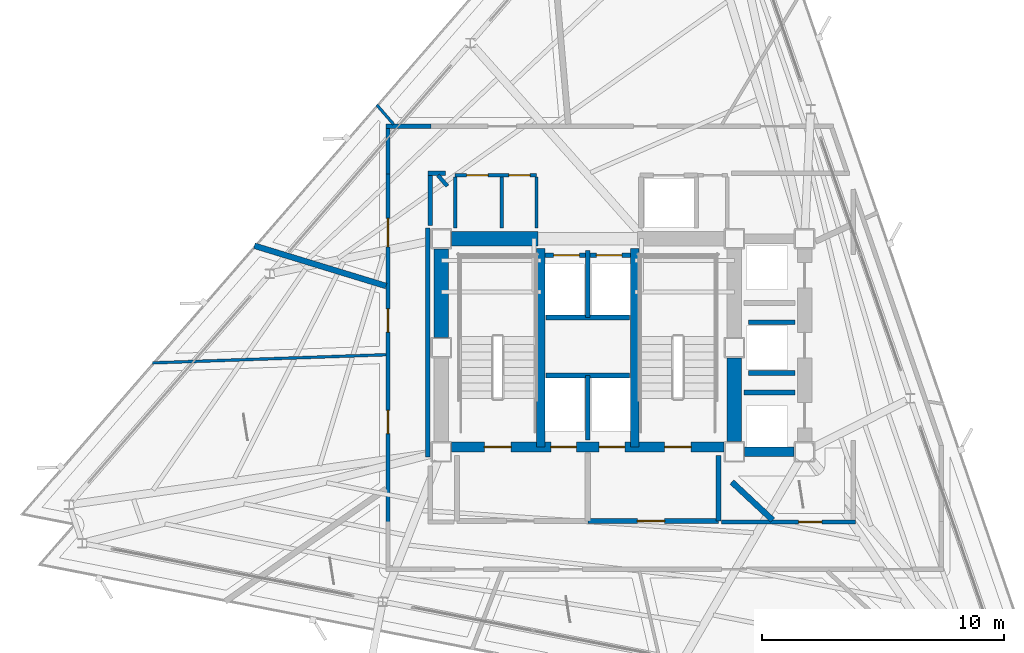
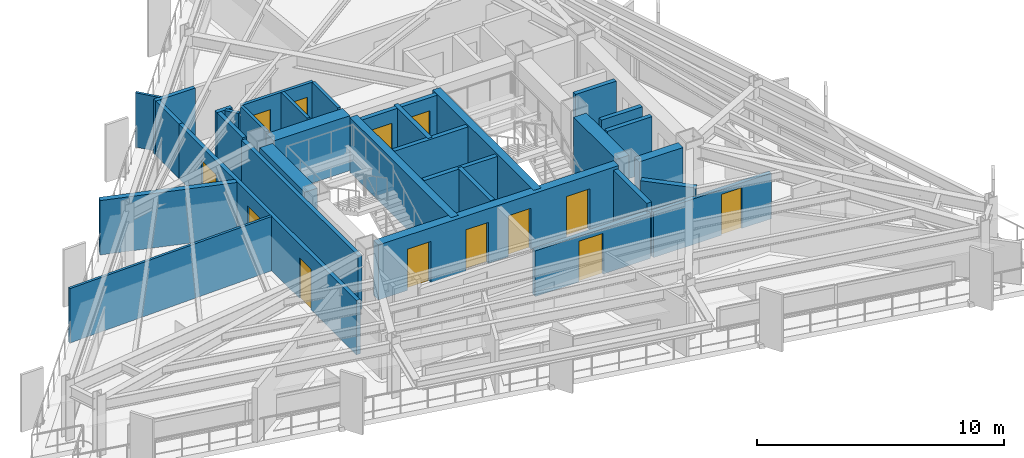
# One storey, part 9 of 14: 33 walls, 13 doors, 13 openings.
"""IFC4 building model written with IfcOpenShell, lengths in metres."""

from ifc_helpers import new_model, si_unit, direction, frame, frame_2d, origin, place, context, subcontext, project, spatial, rectangle, extrude, material, layer, layer_set, type_object, element, fill, save


model = new_model("IFC4")

# Units and contexts
model_context = context("Model", 3, precision=1e-05, world=origin(), true_north=direction((0.0, 1.0)))
body_context = subcontext(model_context, "Body", "Model", "MODEL_VIEW")
ifc_project = project(units=[si_unit("LENGTHUNIT", "METRE"), si_unit("AREAUNIT", "SQUARE_METRE"), si_unit("VOLUMEUNIT", "CUBIC_METRE"), si_unit("PLANEANGLEUNIT", "RADIAN"), si_unit("MASSUNIT", "GRAM", prefix="KILO")], contexts=[model_context])

# Site, building, storey
site_placement = place(None, origin())
site = spatial("IfcSite", under=ifc_project, at=site_placement, CompositionType="ELEMENT")
building_placement = place(site_placement, origin())
building = spatial("IfcBuilding", under=site, at=building_placement, Name="Rocaltana Carrier Exchange", CompositionType="ELEMENT")
storey_placement = place(building_placement, frame((0.0, 0.0, 168.47998046875)))
storey = spatial("IfcBuildingStorey", under=building, at=storey_placement, Name="L53", CompositionType="ELEMENT", Elevation=168.47998046875)

# Walls
ifc_material_1 = material(Name="Double Acoustic Gypsum Partition", Category="gypsum")
ifc_layer_1 = layer(ifc_material_1, 0.159912109375)
ifc_layer_set_1 = layer_set([ifc_layer_1], Name="Double Acoustic Gypsum Partition")
wall_type_1 = type_object("IfcWallType", Name="Acoustic Studio Partition 160 EI60", PredefinedType="PARTITIONING", material=ifc_layer_set_1)
wall_1_placement = place(storey_placement, frame((-5.800048828125, 6.672119140625, 0.0), z_axis=(0.0, 0.0, 1.0), x_axis=(-0.655791573116, 0.754941992891, 0.0)))
element("IfcWall", 1, at=wall_1_placement, inside=storey, type_object=wall_type_1, Name="L53 Suite Divider Wall D12", PredefinedType="PARTITIONING", context=body_context, shape_type="SweptSolid", body=[
    extrude(rectangle(XDim=0.593505859375, YDim=0.159912109375, at=frame_2d((0.296875, 0.0))), origin(), (0.0, 0.0, 1.0), 2.693115234375),
])
ifc_material_2 = material(Name="Concrete C50/60", Category="concrete")
ifc_layer_2 = layer(ifc_material_2, 0.35009765625)
ifc_layer_set_2 = layer_set([ifc_layer_2], Name="Concrete C50/60")
wall_type_2 = type_object("IfcWallType", Name="Core Internal Shear Wall 350", PredefinedType="SHEAR", material=ifc_layer_set_2)
for number, where, z_axis, x_axis, name in (
    (2, (-1.93994140625, -4.10009765625, 0.0), (0.0, 0.0, 1.0), (0.0, 1.0, 0.0), "L53 Core Shear Wall CW-STW"),
    (3, (1.93994140625, -4.10009765625, 0.0), (0.0, 0.0, 1.0), (0.0, 1.0, 0.0), "L53 Core Shear Wall CW-STE"),
):
    element("IfcWall", number, at=place(storey_placement, frame(where, z_axis=z_axis, x_axis=x_axis)), inside=storey, type_object=wall_type_2, Name=name, PredefinedType="SHEAR", context=body_context, shape_type="SweptSolid", body=[
        extrude(rectangle(XDim=8.2001953125, YDim=0.35009765625, at=frame_2d((4.10009765625, 0.0))), origin(), (0.0, 0.0, 1.0), 2.718017578125),
    ])

# Wall, openings, doors
ifc_material_3 = material(Name="Concrete C50/60", Category="concrete")
ifc_layer_3 = layer(ifc_material_3, 0.39990234375)
ifc_layer_set_3 = layer_set([ifc_layer_3], Name="Concrete C50/60")
wall_type_3 = type_object("IfcWallType", Name="Core Internal Shear Wall 400", PredefinedType="SHEAR", material=ifc_layer_set_3)
wall_2_placement = place(storey_placement, frame((-5.625, -4.10009765625, 0.0), z_axis=(0.0, 0.0, 1.0), x_axis=(1.0, 0.0, 0.0)))
wall_2 = element("IfcWall", 4, at=wall_2_placement, inside=storey, type_object=wall_type_3, Name="L53 Core Shear Wall CW-S", PredefinedType="SHEAR", context=body_context, shape_type="SweptSolid", body=[
    extrude(rectangle(XDim=11.25, YDim=0.39990234375, at=frame_2d((5.625, 0.0))), origin(), (0.0, 0.0, 1.0), 2.718017578125),
])
opening_1_placement = place(wall_2_placement, frame((1.35498046875, 0.0, 0.0)))
opening_1 = element("IfcOpeningElement", 5, at=opening_1_placement, cuts=wall_2, Name="Opening D-ST110", PredefinedType="OPENING", context=body_context, shape_type="SweptSolid", body=[
    extrude(rectangle(XDim=1.10009765625, YDim=2.0400390625, at=frame_2d((0.550048828125, 1.02001953125))), frame((0.0, 0.2099609375, 0.0), z_axis=(0.0, -1.0, 0.0), x_axis=(1.0, 0.0, 0.0)), (0.0, 0.0, 1.0), 0.419921875),
])
opening_2_placement = place(wall_2_placement, frame((8.794921875, 0.0, 0.0)))
opening_2 = element("IfcOpeningElement", 6, at=opening_2_placement, cuts=wall_2, Name="Opening D-ST110", PredefinedType="OPENING", context=body_context, shape_type="SweptSolid", body=[
    extrude(rectangle(XDim=1.10009765625, YDim=2.0400390625, at=frame_2d((0.550048828125, 1.02001953125))), frame((0.0, 0.2099609375, 0.0), z_axis=(0.0, -1.0, 0.0), x_axis=(1.0, 0.0, 0.0)), (0.0, 0.0, 1.0), 0.419921875),
])
opening_3_placement = place(wall_2_placement, frame((4.094970703125, 0.0, 0.0)))
opening_3 = element("IfcOpeningElement", 7, at=opening_3_placement, cuts=wall_2, Name="Opening LD-110", PredefinedType="OPENING", context=body_context, shape_type="SweptSolid", body=[
    extrude(rectangle(XDim=1.06005859375, YDim=2.0400390625, at=frame_2d((0.530029296875, 1.02001953125))), frame((0.0, 0.2099609375, 0.0), z_axis=(0.0, -1.0, 0.0), x_axis=(1.0, 0.0, 0.0)), (0.0, 0.0, 1.0), 0.419921875),
])
opening_4_placement = place(wall_2_placement, frame((6.094970703125, 0.0, 0.0)))
opening_4 = element("IfcOpeningElement", 8, at=opening_4_placement, cuts=wall_2, Name="Opening LD-110", PredefinedType="OPENING", context=body_context, shape_type="SweptSolid", body=[
    extrude(rectangle(XDim=1.06005859375, YDim=2.0400390625, at=frame_2d((0.530029296875, 1.02001953125))), frame((0.0, 0.2099609375, 0.0), z_axis=(0.0, -1.0, 0.0), x_axis=(1.0, 0.0, 0.0)), (0.0, 0.0, 1.0), 0.419921875),
])
ifc_material_4 = material(Name="Hollow Metal Fire Door Assembly", Category="steel")
door_type_1 = type_object("IfcDoorType", Name="Exit Stair Fire Door 1100x2040 FD90S", OperationType="NOTDEFINED", PredefinedType="DOOR", material=ifc_material_4)
door_1_placement = place(opening_1_placement, origin())
door_1 = element("IfcDoor", 9, at=door_1_placement, inside=storey, type_object=door_type_1, Name="L53 Exit Stair ST1 Fire Door", OperationType="SINGLE_SWING_RIGHT", OverallHeight=2.0400390625, OverallWidth=1.10009765625, PredefinedType="DOOR", context=body_context, shape_type="SweptSolid", body=[
    extrude(rectangle(XDim=1.10009765625, YDim=2.0400390625, at=frame_2d((0.550048828125, 1.02001953125))), frame((0.0, 0.02490234375, 0.0), z_axis=(0.0, -1.0, 0.0), x_axis=(1.0, 0.0, 0.0)), (0.0, 0.0, 1.0), 0.050048828125),
])
fill(opening_1, door_1)
door_2_placement = place(opening_2_placement, origin())
door_2 = element("IfcDoor", 10, at=door_2_placement, inside=storey, type_object=door_type_1, Name="L53 Exit Stair ST2 Fire Door", OperationType="SINGLE_SWING_LEFT", OverallHeight=2.0400390625, OverallWidth=1.10009765625, PredefinedType="DOOR", context=body_context, shape_type="SweptSolid", body=[
    extrude(rectangle(XDim=1.10009765625, YDim=2.0400390625, at=frame_2d((0.550048828125, 1.02001953125))), frame((0.0, 0.02490234375, 0.0), z_axis=(0.0, -1.0, 0.0), x_axis=(1.0, 0.0, 0.0)), (0.0, 0.0, 1.0), 0.050048828125),
])
fill(opening_2, door_2)
ifc_material_5 = material(Name="Brushed Stainless Sliding Door Leaf", Category="steel")
door_type_2 = type_object("IfcDoorType", Name="Lift Landing Sliding Door 1060x2040", OperationType="NOTDEFINED", PredefinedType="DOOR", material=ifc_material_5)
door_3_placement = place(opening_3_placement, origin())
door_3 = element("IfcDoor", 11, at=door_3_placement, inside=storey, type_object=door_type_2, Name="L53 Firefighting Lift FFL1 Landing Door", OperationType="SLIDING_TO_LEFT", OverallHeight=2.0400390625, OverallWidth=1.06005859375, PredefinedType="DOOR", context=body_context, shape_type="SweptSolid", body=[
    extrude(rectangle(XDim=1.06005859375, YDim=2.0400390625, at=frame_2d((0.530029296875, 1.02001953125))), frame((0.0, 0.02490234375, 0.0), z_axis=(0.0, -1.0, 0.0), x_axis=(1.0, 0.0, 0.0)), (0.0, 0.0, 1.0), 0.050048828125),
])
fill(opening_3, door_3)
door_4_placement = place(opening_4_placement, origin())
door_4 = element("IfcDoor", 12, at=door_4_placement, inside=storey, type_object=door_type_2, Name="L53 Firefighting Lift FFL2 Landing Door", OperationType="SLIDING_TO_RIGHT", OverallHeight=2.0400390625, OverallWidth=1.06005859375, PredefinedType="DOOR", context=body_context, shape_type="SweptSolid", body=[
    extrude(rectangle(XDim=1.06005859375, YDim=2.0400390625, at=frame_2d((0.530029296875, 1.02001953125))), frame((0.0, 0.02490234375, 0.0), z_axis=(0.0, -1.0, 0.0), x_axis=(1.0, 0.0, 0.0)), (0.0, 0.0, 1.0), 0.050048828125),
])
fill(opening_4, door_4)

# Walls
wall_3_placement = place(storey_placement, frame((6.47509765625, -4.300048828125, 0.0), z_axis=(0.0, 0.0, 1.0), x_axis=(1.0, 0.0, 0.0)))
element("IfcWall", 13, at=wall_3_placement, inside=storey, type_object=wall_type_3, Name="L53 Core Shear Wall CW-EWS", PredefinedType="SHEAR", context=body_context, shape_type="SweptSolid", body=[
    extrude(rectangle(XDim=2.0498046875, YDim=0.39990234375, at=frame_2d((1.02490234375, 0.0))), origin(), (0.0, 0.0, 1.0), 2.718017578125),
])
ifc_material_6 = material(Name="Concrete C50/60", Category="concrete")
ifc_layer_4 = layer(ifc_material_6, 0.60009765625)
ifc_layer_set_4 = layer_set([ifc_layer_4], Name="Concrete C50/60")
wall_type_4 = type_object("IfcWallType", Name="Core Shear Wall 600", PredefinedType="SHEAR", material=ifc_layer_set_4)
wall_4_placement = place(storey_placement, frame((-6.050048828125, 0.425048828125, 0.0), z_axis=(0.0, 0.0, 1.0), x_axis=(0.0, 1.0, 0.0)))
element("IfcWall", 14, at=wall_4_placement, inside=storey, type_object=wall_type_4, Name="L53 Core Shear Wall CW-WN", PredefinedType="SHEAR", context=body_context, shape_type="SweptSolid", body=[
    extrude(rectangle(XDim=3.64990234375, YDim=0.60009765625, at=frame_2d((1.824951171875, 0.0))), origin(), (0.0, 0.0, 1.0), 2.718017578125),
])
wall_5_placement = place(storey_placement, frame((6.050048828125, -3.875, 0.0), z_axis=(0.0, 0.0, 1.0), x_axis=(0.0, 1.0, 0.0)))
element("IfcWall", 15, at=wall_5_placement, inside=storey, type_object=wall_type_4, Name="L53 Core Shear Wall CW-ES", PredefinedType="SHEAR", context=body_context, shape_type="SweptSolid", body=[
    extrude(rectangle(XDim=3.449951171875, YDim=0.60009765625, at=frame_2d((1.72509765625, 0.0))), origin(), (0.0, 0.0, 1.0), 2.718017578125),
])
wall_6_placement = place(storey_placement, frame((-5.625, 4.5, 0.0), z_axis=(0.0, 0.0, 1.0), x_axis=(1.0, 0.0, 0.0)))
element("IfcWall", 16, at=wall_6_placement, inside=storey, type_object=wall_type_4, Name="L53 Core Shear Wall CW-N1", PredefinedType="SHEAR", context=body_context, shape_type="SweptSolid", body=[
    extrude(rectangle(XDim=3.574951171875, YDim=0.60009765625, at=frame_2d((1.78759765625, 0.0))), origin(), (0.0, 0.0, 1.0), 2.718017578125),
])

# Wall, openings, doors
ifc_material_7 = material(Name="Gypsum & Steel Stud Partition", Category="steel")
ifc_layer_5 = layer(ifc_material_7, 0.179931640625)
ifc_layer_set_5 = layer_set([ifc_layer_5], Name="Gypsum & Steel Stud Partition")
wall_type_5 = type_object("IfcWallType", Name="Corridor Fire Partition 180 EI60", PredefinedType="PARTITIONING", material=ifc_layer_set_5)
wall_7_placement = place(storey_placement, frame((-8.25, -7.219970703125, 0.0), z_axis=(0.0, 0.0, 1.0), x_axis=(0.0, 1.0, 0.0)))
wall_7 = element("IfcWall", 17, at=wall_7_placement, inside=storey, type_object=wall_type_5, Name="L53 Corridor Partition 3", PredefinedType="PARTITIONING", context=body_context, shape_type="SweptSolid", body=[
    extrude(rectangle(XDim=14.43994140625, YDim=0.179931640625, at=frame_2d((7.219970703125, 0.0))), origin(), (0.0, 0.0, 1.0), 2.693115234375),
])
opening_5_placement = place(wall_7_placement, frame((3.67138671875, 0.0, 0.0)))
opening_5 = element("IfcOpeningElement", 18, at=opening_5_placement, cuts=wall_7, Name="Opening D-RM098", PredefinedType="OPENING", context=body_context, shape_type="SweptSolid", body=[
    extrude(rectangle(XDim=0.9599609375, YDim=2.02001953125, at=frame_2d((0.47998046875, 1.010009765625))), frame((0.0, 0.099853515625, 0.0), z_axis=(0.0, -1.0, 0.0), x_axis=(1.0, 0.0, 0.0)), (0.0, 0.0, 1.0), 0.199951171875),
])
opening_6_placement = place(wall_7_placement, frame((11.385009765625, 0.0, 0.0)))
opening_6 = element("IfcOpeningElement", 19, at=opening_6_placement, cuts=wall_7, Name="Opening D-SU120", PredefinedType="OPENING", context=body_context, shape_type="SweptSolid", body=[
    extrude(rectangle(XDim=1.179931640625, YDim=2.02001953125, at=frame_2d((0.58984375, 1.010009765625))), frame((0.0, 0.099853515625, 0.0), z_axis=(0.0, -1.0, 0.0), x_axis=(1.0, 0.0, 0.0)), (0.0, 0.0, 1.0), 0.199951171875),
])
opening_7_placement = place(wall_7_placement, frame((7.86669921875, 0.0, 0.0)))
opening_7 = element("IfcOpeningElement", 20, at=opening_7_placement, cuts=wall_7, Name="Opening D-RM098", PredefinedType="OPENING", context=body_context, shape_type="SweptSolid", body=[
    extrude(rectangle(XDim=0.9599609375, YDim=2.02001953125, at=frame_2d((0.47998046875, 1.010009765625))), frame((0.0, 0.099853515625, 0.0), z_axis=(0.0, -1.0, 0.0), x_axis=(1.0, 0.0, 0.0)), (0.0, 0.0, 1.0), 0.199951171875),
])
ifc_material_8 = material(Name="Engineered Hardwood Timber", Category="wood")
door_type_3 = type_object("IfcDoorType", Name="Suite Double Entrance Door 1180x2020", OperationType="NOTDEFINED", PredefinedType="DOOR", material=ifc_material_8)
door_5_placement = place(opening_6_placement, origin())
door_5 = element("IfcDoor", 21, at=door_5_placement, inside=storey, type_object=door_type_3, Name="L53 Carrier Peering Suite Entrance Door", OperationType="SINGLE_SWING_RIGHT", OverallHeight=2.02001953125, OverallWidth=1.179931640625, PredefinedType="DOOR", context=body_context, shape_type="SweptSolid", body=[
    extrude(rectangle(XDim=1.179931640625, YDim=2.02001953125, at=frame_2d((0.58984375, 1.010009765625))), frame((0.0, 0.02490234375, 0.0), z_axis=(0.0, -1.0, 0.0), x_axis=(1.0, 0.0, 0.0)), (0.0, 0.0, 1.0), 0.050048828125),
])
fill(opening_6, door_5)
ifc_material_9 = material(Name="Engineered Hardwood Timber", Category="wood")
door_type_4 = type_object("IfcDoorType", Name="Workspace Single Door 960x2020", OperationType="NOTDEFINED", PredefinedType="DOOR", material=ifc_material_9)
door_6_placement = place(opening_5_placement, origin())
door_6 = element("IfcDoor", 22, at=door_6_placement, inside=storey, type_object=door_type_4, Name="L53 Sky Transfer Lounge Entrance Door", OperationType="SINGLE_SWING_LEFT", OverallHeight=2.02001953125, OverallWidth=0.9599609375, PredefinedType="DOOR", context=body_context, shape_type="SweptSolid", body=[
    extrude(rectangle(XDim=0.9599609375, YDim=2.02001953125, at=frame_2d((0.47998046875, 1.010009765625))), frame((0.0, 0.02490234375, 0.0), z_axis=(0.0, -1.0, 0.0), x_axis=(1.0, 0.0, 0.0)), (0.0, 0.0, 1.0), 0.050048828125),
])
fill(opening_5, door_6)
door_7_placement = place(opening_7_placement, origin())
door_7 = element("IfcDoor", 23, at=door_7_placement, inside=storey, type_object=door_type_4, Name="L53 Sky Transfer Lounge Entrance Door", OperationType="SINGLE_SWING_LEFT", OverallHeight=2.02001953125, OverallWidth=0.9599609375, PredefinedType="DOOR", context=body_context, shape_type="SweptSolid", body=[
    extrude(rectangle(XDim=0.9599609375, YDim=2.02001953125, at=frame_2d((0.47998046875, 1.010009765625))), frame((0.0, 0.02490234375, 0.0), z_axis=(0.0, -1.0, 0.0), x_axis=(1.0, 0.0, 0.0)), (0.0, 0.0, 1.0), 0.050048828125),
])
fill(opening_7, door_7)

# Walls
wall_8_placement = place(storey_placement, frame((-8.25, 7.179931640625, 0.0), z_axis=(0.0, 0.0, 1.0), x_axis=(0.0, 1.0, 0.0)))
element("IfcWall", 24, at=wall_8_placement, inside=storey, type_object=wall_type_5, Name="L53 Corridor Partition 4", PredefinedType="PARTITIONING", context=body_context, shape_type="SweptSolid", body=[
    extrude(rectangle(XDim=1.880126953125, YDim=0.179931640625, at=frame_2d((0.93994140625, 0.0))), origin(), (0.0, 0.0, 1.0), 2.693115234375),
])
wall_9_placement = place(storey_placement, frame((-8.340087890625, 9.14990234375, 0.0), z_axis=(0.0, 0.0, 1.0), x_axis=(1.0, 0.0, 0.0)))
element("IfcWall", 25, at=wall_9_placement, inside=storey, type_object=wall_type_5, Name="L53 Corridor Partition 5", PredefinedType="PARTITIONING", context=body_context, shape_type="SweptSolid", body=[
    extrude(rectangle(XDim=1.860107421875, YDim=0.179931640625, at=frame_2d((0.93017578125, 0.0))), origin(), (0.0, 0.0, 1.0), 2.693115234375),
])
wall_10_placement = place(storey_placement, frame((-5.8798828125, 7.199951171875, 0.0), z_axis=(0.0, 0.0, 1.0), x_axis=(-1.0, 0.0, 0.0)))
element("IfcWall", 26, at=wall_10_placement, inside=storey, type_object=wall_type_5, Name="L53 Corridor Partition 9", PredefinedType="PARTITIONING", context=body_context, shape_type="SweptSolid", body=[
    extrude(rectangle(XDim=0.710205078125, YDim=0.179931640625, at=frame_2d((0.35498046875, 0.0))), origin(), (0.0, 0.0, 1.0), 2.693115234375),
])
wall_11_placement = place(storey_placement, frame((-6.5, 7.110107421875, 0.0), z_axis=(0.0, 0.0, 1.0), x_axis=(0.0, -1.0, 0.0)))
element("IfcWall", 27, at=wall_11_placement, inside=storey, type_object=wall_type_5, Name="L53 Corridor Partition 10", PredefinedType="PARTITIONING", context=body_context, shape_type="SweptSolid", body=[
    extrude(rectangle(XDim=2.058349609375, YDim=0.179931640625, at=frame_2d((1.029296875, 0.0))), origin(), (0.0, 0.0, 1.0), 2.693115234375),
])
wall_12_placement = place(storey_placement, frame((-6.610107421875, 4.93994140625, 0.0), z_axis=(0.0, 0.0, 1.0), x_axis=(0.0, -1.0, 0.0)))
element("IfcWall", 28, at=wall_12_placement, inside=storey, type_object=wall_type_5, Name="L53 Corridor Partition 11", PredefinedType="PARTITIONING", context=body_context, shape_type="SweptSolid", body=[
    extrude(rectangle(XDim=9.4599609375, YDim=0.179931640625, at=frame_2d((4.72998046875, 0.0))), origin(), (0.0, 0.0, 1.0), 2.693115234375),
])

# Wall, opening, door
wall_13_placement = place(storey_placement, frame((5.530029296875, -7.199951171875, 0.0), z_axis=(0.0, 0.0, 1.0), x_axis=(1.0, 0.0, 0.0)))
wall_13 = element("IfcWall", 29, at=wall_13_placement, inside=storey, type_object=wall_type_5, Name="L53 Corridor Partition 14", PredefinedType="PARTITIONING", context=body_context, shape_type="SweptSolid", body=[
    extrude(rectangle(XDim=5.52001953125, YDim=0.179931640625, at=frame_2d((2.760009765625, 0.0))), origin(), (0.0, 0.0, 1.0), 2.260009765625),
])
opening_8_placement = place(wall_13_placement, frame((3.177490234375, 0.0, 0.0)))
opening_8 = element("IfcOpeningElement", 30, at=opening_8_placement, cuts=wall_13, Name="Opening D-RM098", PredefinedType="OPENING", context=body_context, shape_type="SweptSolid", body=[
    extrude(rectangle(XDim=0.9599609375, YDim=2.02001953125, at=frame_2d((0.47998046875, 1.010009765625))), frame((0.0, 0.099853515625, 0.0), z_axis=(0.0, -1.0, 0.0), x_axis=(1.0, 0.0, 0.0)), (0.0, 0.0, 1.0), 0.199951171875),
])
door_8_placement = place(opening_8_placement, origin())
door_8 = element("IfcDoor", 31, at=door_8_placement, inside=storey, type_object=door_type_4, Name="L53 Peering Conference Room Entrance Door", OperationType="SINGLE_SWING_RIGHT", OverallHeight=2.02001953125, OverallWidth=0.9599609375, PredefinedType="DOOR", context=body_context, shape_type="SweptSolid", body=[
    extrude(rectangle(XDim=0.9599609375, YDim=2.02001953125, at=frame_2d((0.47998046875, 1.010009765625))), frame((0.0, 0.02490234375, 0.0), z_axis=(0.0, -1.0, 0.0), x_axis=(1.0, 0.0, 0.0)), (0.0, 0.0, 1.0), 0.050048828125),
])
fill(opening_8, door_8)

# Walls
ifc_material_10 = material(Name="Aluminium 6063-T6 & Acoustic Glass", Category="aluminium")
ifc_layer_6 = layer(ifc_material_10, 0.114990234375)
ifc_layer_set_6 = layer_set([ifc_layer_6], Name="Aluminium 6063-T6 & Acoustic Glass")
wall_type_6 = type_object("IfcWallType", Name="Demountable Glazed Lab Partition 115", PredefinedType="MOVABLE", material=ifc_layer_set_6)
wall_14_placement = place(storey_placement, frame((-8.330078125, -0.291015625, 0.0), z_axis=(0.0, 0.0, 1.0), x_axis=(-0.99939124622, -0.03488749028, 0.0)))
element("IfcWall", 32, at=wall_14_placement, inside=storey, type_object=wall_type_6, Name="L53 Suite Divider Wall D1", PredefinedType="MOVABLE", context=body_context, shape_type="SweptSolid", body=[
    extrude(rectangle(XDim=9.650146484375, YDim=0.114990234375, at=frame_2d((4.8251953125, 0.0))), origin(), (0.0, 0.0, 1.0), 2.693115234375),
])
wall_15_placement = place(storey_placement, frame((-8.0234375, 9.22998046875, 0.0), z_axis=(0.0, 0.0, 1.0), x_axis=(-0.656121313299, 0.754655432787, 0.0)))
element("IfcWall", 33, at=wall_15_placement, inside=storey, type_object=wall_type_6, Name="L53 Suite Divider Wall D13", PredefinedType="MOVABLE", context=body_context, shape_type="SweptSolid", body=[
    extrude(rectangle(XDim=1.052978515625, YDim=0.114990234375, at=frame_2d((0.5263671875, 0.0))), origin(), (0.0, 0.0, 1.0), 2.693115234375),
])
ifc_material_11 = material(Name="Autoclaved Aerated Concrete C30/37", Category="concrete")
ifc_layer_7 = layer(ifc_material_11, 0.219970703125)
ifc_layer_set_7 = layer_set([ifc_layer_7], Name="Autoclaved Aerated Concrete C30/37")
wall_type_7 = type_object("IfcWallType", Name="Firefighting Lobby Wall 220 EI120", PredefinedType="PARTITIONING", material=ifc_layer_set_7)
wall_16_placement = place(storey_placement, frame((5.39990234375, -7.159912109375, 0.0), z_axis=(0.0, 0.0, 1.0), x_axis=(0.0, 1.0, 0.0)))
element("IfcWall", 34, at=wall_16_placement, inside=storey, type_object=wall_type_7, Name="L53 FFL Lobby 2 East Wall", PredefinedType="PARTITIONING", context=body_context, shape_type="SweptSolid", body=[
    extrude(rectangle(XDim=2.7099609375, YDim=0.219970703125, at=frame_2d((1.35498046875, 0.0))), origin(), (0.0, 0.0, 1.0), 2.693115234375),
])

# Wall, opening, door
wall_17_placement = place(storey_placement, frame((0.0, -7.159912109375, 0.0), z_axis=(0.0, 0.0, 1.0), x_axis=(1.0, 0.0, 0.0)))
wall_17 = element("IfcWall", 35, at=wall_17_placement, inside=storey, type_object=wall_type_7, Name="L53 FFL Lobby 2 South Wall", PredefinedType="PARTITIONING", context=body_context, shape_type="SweptSolid", body=[
    extrude(rectangle(XDim=5.39990234375, YDim=0.219970703125, at=frame_2d((2.699951171875, 0.0))), origin(), (0.0, 0.0, 1.0), 2.260009765625),
])
opening_9_placement = place(wall_17_placement, frame((2.050048828125, 0.0, 0.0)))
opening_9 = element("IfcOpeningElement", 36, at=opening_9_placement, cuts=wall_17, Name="Opening D-FF115", PredefinedType="OPENING", context=body_context, shape_type="SweptSolid", body=[
    extrude(rectangle(XDim=1.1201171875, YDim=2.02001953125, at=frame_2d((0.56005859375, 1.010009765625))), frame((0.0, 0.119873046875, 0.0), z_axis=(0.0, -1.0, 0.0), x_axis=(1.0, 0.0, 0.0)), (0.0, 0.0, 1.0), 0.239990234375),
])
ifc_material_12 = material(Name="Hollow Metal Fire Door Assembly", Category="steel")
door_type_5 = type_object("IfcDoorType", Name="Firefighting Lobby Door 1120x2020 FD60S", OperationType="NOTDEFINED", PredefinedType="DOOR", material=ifc_material_12)
door_9_placement = place(opening_9_placement, origin())
door_9 = element("IfcDoor", 37, at=door_9_placement, inside=storey, type_object=door_type_5, Name="L53 Firefighting Lift Lobby 2 Door", OperationType="SINGLE_SWING_LEFT", OverallHeight=2.02001953125, OverallWidth=1.1201171875, PredefinedType="DOOR", context=body_context, shape_type="SweptSolid", body=[
    extrude(rectangle(XDim=1.1201171875, YDim=2.02001953125, at=frame_2d((0.56005859375, 1.010009765625))), frame((0.0, 0.02490234375, 0.0), z_axis=(0.0, -1.0, 0.0), x_axis=(1.0, 0.0, 0.0)), (0.0, 0.0, 1.0), 0.050048828125),
])
fill(opening_9, door_9)

# Walls
ifc_material_13 = material(Name="Acoustic Calcium Silicate Partition", Category="gypsum")
ifc_layer_8 = layer(ifc_material_13, 0.239990234375)
ifc_layer_set_8 = layer_set([ifc_layer_8], Name="Acoustic Calcium Silicate Partition")
wall_type_8 = type_object("IfcWallType", Name="Heavy Lab Partition 240 EI90", PredefinedType="PARTITIONING", material=ifc_layer_set_8)
wall_18_placement = place(storey_placement, frame((5.949951171875, -5.548583984375, 0.0), z_axis=(0.0, 0.0, 1.0), x_axis=(0.731361714987, -0.681989766677, 0.0)))
element("IfcWall", 38, at=wall_18_placement, inside=storey, type_object=wall_type_8, Name="L53 Suite Divider Wall D5", PredefinedType="PARTITIONING", context=body_context, shape_type="SweptSolid", body=[
    extrude(rectangle(XDim=2.304443359375, YDim=0.239990234375, at=frame_2d((1.15234375, 0.0))), origin(), (0.0, 0.0, 1.0), 2.693115234375),
])
wall_19_placement = place(storey_placement, frame((-8.330078125, 2.546630859375, 0.0), z_axis=(0.0, 0.0, 1.0), x_axis=(-0.95629724105, 0.292396283766, 0.0)))
element("IfcWall", 39, at=wall_19_placement, inside=storey, type_object=wall_type_8, Name="L53 Suite Divider Wall D14", PredefinedType="PARTITIONING", context=body_context, shape_type="SweptSolid", body=[
    extrude(rectangle(XDim=5.687744140625, YDim=0.239990234375, at=frame_2d((2.84375, 0.0))), origin(), (0.0, 0.0, 1.0), 2.693115234375),
])
ifc_material_14 = material(Name="Reinforced Concrete Block C35/45", Category="concrete")
ifc_layer_9 = layer(ifc_material_14, 0.199951171875)
ifc_layer_set_9 = layer_set([ifc_layer_9], Name="Reinforced Concrete Block C35/45")
wall_type_9 = type_object("IfcWallType", Name="Lift Hoistway Enclosure Wall 200 EI120", PredefinedType="PARTITIONING", material=ifc_layer_set_9)
wall_20_placement = place(storey_placement, frame((0.0, -3.820068359375, 0.0), z_axis=(0.0, 0.0, 1.0), x_axis=(0.0, 1.0, 0.0)))
element("IfcWall", 40, at=wall_20_placement, inside=storey, type_object=wall_type_9, Name="L53 FFL Shaft Divider", PredefinedType="PARTITIONING", context=body_context, shape_type="SweptSolid", body=[
    extrude(rectangle(XDim=2.670166015625, YDim=0.199951171875, at=frame_2d((1.3349609375, 0.0))), origin(), (0.0, 0.0, 1.0), 2.693115234375),
])
wall_21_placement = place(storey_placement, frame((-1.719970703125, -1.14990234375, 0.0), z_axis=(0.0, 0.0, 1.0), x_axis=(1.0, 0.0, 0.0)))
element("IfcWall", 41, at=wall_21_placement, inside=storey, type_object=wall_type_9, Name="L53 FFL Shaft Back Wall", PredefinedType="PARTITIONING", context=body_context, shape_type="SweptSolid", body=[
    extrude(rectangle(XDim=3.43994140625, YDim=0.199951171875, at=frame_2d((1.719970703125, 0.0))), origin(), (0.0, 0.0, 1.0), 2.693115234375),
])
wall_22_placement = place(storey_placement, frame((0.0, 1.25, 0.0), z_axis=(0.0, 0.0, 1.0), x_axis=(0.0, 1.0, 0.0)))
element("IfcWall", 42, at=wall_22_placement, inside=storey, type_object=wall_type_9, Name="L53 High-Rise Shaft Divider", PredefinedType="PARTITIONING", context=body_context, shape_type="SweptSolid", body=[
    extrude(rectangle(XDim=2.77001953125, YDim=0.199951171875, at=frame_2d((1.385009765625, 0.0))), origin(), (0.0, 0.0, 1.0), 2.693115234375),
])
wall_23_placement = place(storey_placement, frame((-1.719970703125, 1.25, 0.0), z_axis=(0.0, 0.0, 1.0), x_axis=(1.0, 0.0, 0.0)))
element("IfcWall", 43, at=wall_23_placement, inside=storey, type_object=wall_type_9, Name="L53 High-Rise Shaft Back Wall", PredefinedType="PARTITIONING", context=body_context, shape_type="SweptSolid", body=[
    extrude(rectangle(XDim=3.43994140625, YDim=0.199951171875, at=frame_2d((1.719970703125, 0.0))), origin(), (0.0, 0.0, 1.0), 2.693115234375),
])

# Wall, openings, doors
wall_24_placement = place(storey_placement, frame((-1.760009765625, 3.820068359375, 0.0), z_axis=(0.0, 0.0, 1.0), x_axis=(1.0, 0.0, 0.0)))
wall_24 = element("IfcWall", 44, at=wall_24_placement, inside=storey, type_object=wall_type_9, Name="L53 High-Rise Lift Front Wall", PredefinedType="PARTITIONING", context=body_context, shape_type="SweptSolid", body=[
    extrude(rectangle(XDim=3.52001953125, YDim=0.199951171875, at=frame_2d((1.760009765625, 0.0))), origin(), (0.0, 0.0, 1.0), 2.693115234375),
])
opening_10_placement = place(wall_24_placement, frame((0.35009765625, 0.0, 0.0)))
opening_10 = element("IfcOpeningElement", 45, at=opening_10_placement, cuts=wall_24, Name="Opening LD-110", PredefinedType="OPENING", context=body_context, shape_type="SweptSolid", body=[
    extrude(rectangle(XDim=1.06005859375, YDim=2.0400390625, at=frame_2d((0.530029296875, 1.02001953125))), frame((0.0, 0.10986328125, 0.0), z_axis=(0.0, -1.0, 0.0), x_axis=(1.0, 0.0, 0.0)), (0.0, 0.0, 1.0), 0.219970703125),
])
opening_11_placement = place(wall_24_placement, frame((2.110107421875, 0.0, 0.0)))
opening_11 = element("IfcOpeningElement", 46, at=opening_11_placement, cuts=wall_24, Name="Opening LD-110", PredefinedType="OPENING", context=body_context, shape_type="SweptSolid", body=[
    extrude(rectangle(XDim=1.06005859375, YDim=2.0400390625, at=frame_2d((0.530029296875, 1.02001953125))), frame((0.0, 0.10986328125, 0.0), z_axis=(0.0, -1.0, 0.0), x_axis=(1.0, 0.0, 0.0)), (0.0, 0.0, 1.0), 0.219970703125),
])
door_10_placement = place(opening_10_placement, origin())
door_10 = element("IfcDoor", 47, at=door_10_placement, inside=storey, type_object=door_type_2, Name="L53 High-Rise Lift PLH1 Landing Door", OperationType="SLIDING_TO_LEFT", OverallHeight=2.0400390625, OverallWidth=1.06005859375, PredefinedType="DOOR", context=body_context, shape_type="SweptSolid", body=[
    extrude(rectangle(XDim=1.06005859375, YDim=2.0400390625, at=frame_2d((0.530029296875, 1.02001953125))), frame((0.0, 0.02490234375, 0.0), z_axis=(0.0, -1.0, 0.0), x_axis=(1.0, 0.0, 0.0)), (0.0, 0.0, 1.0), 0.050048828125),
])
fill(opening_10, door_10)
door_11_placement = place(opening_11_placement, origin())
door_11 = element("IfcDoor", 48, at=door_11_placement, inside=storey, type_object=door_type_2, Name="L53 High-Rise Lift PLH2 Landing Door", OperationType="SLIDING_TO_RIGHT", OverallHeight=2.0400390625, OverallWidth=1.06005859375, PredefinedType="DOOR", context=body_context, shape_type="SweptSolid", body=[
    extrude(rectangle(XDim=1.06005859375, YDim=2.0400390625, at=frame_2d((0.530029296875, 1.02001953125))), frame((0.0, 0.02490234375, 0.0), z_axis=(0.0, -1.0, 0.0), x_axis=(1.0, 0.0, 0.0)), (0.0, 0.0, 1.0), 0.050048828125),
])
fill(opening_11, door_11)

# Walls
wall_25_placement = place(storey_placement, frame((6.449951171875, -1.85009765625, 0.0), z_axis=(0.0, 0.0, 1.0), x_axis=(1.0, 0.0, 0.0)))
element("IfcWall", 49, at=wall_25_placement, inside=storey, type_object=wall_type_9, Name="L53 Mid-Rise Shaft Divider 1", PredefinedType="PARTITIONING", context=body_context, shape_type="SweptSolid", body=[
    extrude(rectangle(XDim=2.10009765625, YDim=0.199951171875, at=frame_2d((1.050048828125, 0.0))), origin(), (0.0, 0.0, 1.0), 2.693115234375),
])
for number, where, z_axis, x_axis, name in (
    (50, (6.639892578125, -1.050048828125, 0.0), (0.0, 0.0, 1.0), (1.0, 0.0, 0.0), "L53 Mid-Rise Center Shaft Wall South"),
    (51, (6.639892578125, 1.050048828125, 0.0), (0.0, 0.0, 1.0), (1.0, 0.0, 0.0), "L53 Mid-Rise Center Shaft Wall North"),
):
    element("IfcWall", number, at=place(storey_placement, frame(where, z_axis=z_axis, x_axis=x_axis)), inside=storey, type_object=wall_type_9, Name=name, PredefinedType="PARTITIONING", context=body_context, shape_type="SweptSolid", body=[
        extrude(rectangle(XDim=1.91015625, YDim=0.199951171875, at=frame_2d((0.955078125, 0.0))), origin(), (0.0, 0.0, 1.0), 2.693115234375),
    ])
ifc_material_15 = material(Name="Moisture-Resistant Masonry C30/37", Category="masonry")
ifc_layer_10 = layer(ifc_material_15, 0.139892578125)
ifc_layer_set_10 = layer_set([ifc_layer_10], Name="Moisture-Resistant Masonry C30/37")
wall_type_10 = type_object("IfcWallType", Name="Wet-Area Sanitary Partition 140", PredefinedType="PARTITIONING", material=ifc_layer_set_10)
for number, where, z_axis, x_axis, name in (
    (52, (-5.47998046875, 4.949951171875, 0.0), (0.0, 0.0, 1.0), (0.0, 1.0, 0.0), "L53 Sanitary West Wall"),
    (53, (-3.56005859375, 4.949951171875, 0.0), (0.0, 0.0, 1.0), (0.0, 1.0, 0.0), "L53 Sanitary Divider"),
    (54, (-2.1201171875, 4.949951171875, 0.0), (0.0, 0.0, 1.0), (0.0, 1.0, 0.0), "L53 Sanitary East Wall"),
):
    element("IfcWall", number, at=place(storey_placement, frame(where, z_axis=z_axis, x_axis=x_axis)), inside=storey, type_object=wall_type_10, Name=name, PredefinedType="PARTITIONING", context=body_context, shape_type="SweptSolid", body=[
        extrude(rectangle(XDim=2.10009765625, YDim=0.139892578125, at=frame_2d((1.050048828125, 0.0))), origin(), (0.0, 0.0, 1.0), 2.693115234375),
    ])

# Wall, openings, doors
wall_26_placement = place(storey_placement, frame((-5.47998046875, 7.1201171875, 0.0), z_axis=(0.0, 0.0, 1.0), x_axis=(1.0, 0.0, 0.0)))
wall_26 = element("IfcWall", 55, at=wall_26_placement, inside=storey, type_object=wall_type_10, Name="L53 Sanitary North Wall", PredefinedType="PARTITIONING", context=body_context, shape_type="SweptSolid", body=[
    extrude(rectangle(XDim=3.35986328125, YDim=0.139892578125, at=frame_2d((1.679931640625, 0.0))), origin(), (0.0, 0.0, 1.0), 2.693115234375),
])
opening_12_placement = place(wall_26_placement, frame((0.47998046875, 0.0, 0.0)))
opening_12 = element("IfcOpeningElement", 56, at=opening_12_placement, cuts=wall_26, Name="Opening D-WC090", PredefinedType="OPENING", context=body_context, shape_type="SweptSolid", body=[
    extrude(rectangle(XDim=0.8798828125, YDim=2.02001953125, at=frame_2d((0.43994140625, 1.010009765625))), frame((0.0, 0.079833984375, 0.0), z_axis=(0.0, -1.0, 0.0), x_axis=(1.0, 0.0, 0.0)), (0.0, 0.0, 1.0), 0.159912109375),
])
opening_13_placement = place(wall_26_placement, frame((2.219970703125, 0.0, 0.0)))
opening_13 = element("IfcOpeningElement", 57, at=opening_13_placement, cuts=wall_26, Name="Opening D-WC090", PredefinedType="OPENING", context=body_context, shape_type="SweptSolid", body=[
    extrude(rectangle(XDim=0.8798828125, YDim=2.02001953125, at=frame_2d((0.43994140625, 1.010009765625))), frame((0.0, 0.079833984375, 0.0), z_axis=(0.0, -1.0, 0.0), x_axis=(1.0, 0.0, 0.0)), (0.0, 0.0, 1.0), 0.159912109375),
])
ifc_material_16 = material(Name="High-Pressure Laminate Timber", Category="wood")
door_type_6 = type_object("IfcDoorType", Name="Restroom & Accessible WC Door 880x2020", OperationType="NOTDEFINED", PredefinedType="DOOR", material=ifc_material_16)
door_12_placement = place(opening_12_placement, origin())
door_12 = element("IfcDoor", 58, at=door_12_placement, inside=storey, type_object=door_type_6, Name="L53 Accessible Toilet Door", OperationType="SINGLE_SWING_RIGHT", OverallHeight=2.02001953125, OverallWidth=0.8798828125, PredefinedType="DOOR", context=body_context, shape_type="SweptSolid", body=[
    extrude(rectangle(XDim=0.8798828125, YDim=2.02001953125, at=frame_2d((0.43994140625, 1.010009765625))), frame((0.0, 0.02490234375, 0.0), z_axis=(0.0, -1.0, 0.0), x_axis=(1.0, 0.0, 0.0)), (0.0, 0.0, 1.0), 0.050048828125),
])
fill(opening_12, door_12)
door_13_placement = place(opening_13_placement, origin())
door_13 = element("IfcDoor", 59, at=door_13_placement, inside=storey, type_object=door_type_6, Name="L53 Staff Restroom Door", OperationType="SINGLE_SWING_LEFT", OverallHeight=2.02001953125, OverallWidth=0.8798828125, PredefinedType="DOOR", context=body_context, shape_type="SweptSolid", body=[
    extrude(rectangle(XDim=0.8798828125, YDim=2.02001953125, at=frame_2d((0.43994140625, 1.010009765625))), frame((0.0, 0.02490234375, 0.0), z_axis=(0.0, -1.0, 0.0), x_axis=(1.0, 0.0, 0.0)), (0.0, 0.0, 1.0), 0.050048828125),
])
fill(opening_13, door_13)

save(model, "model.ifc")
